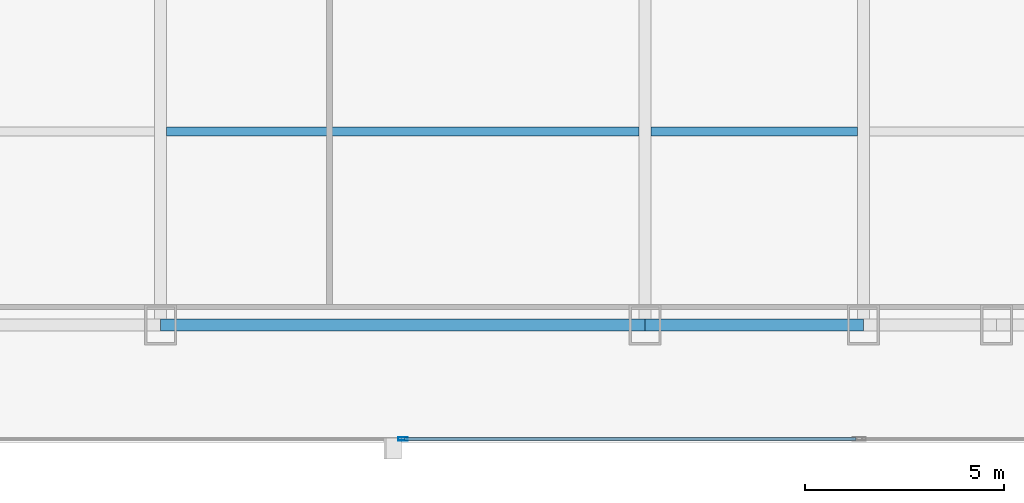
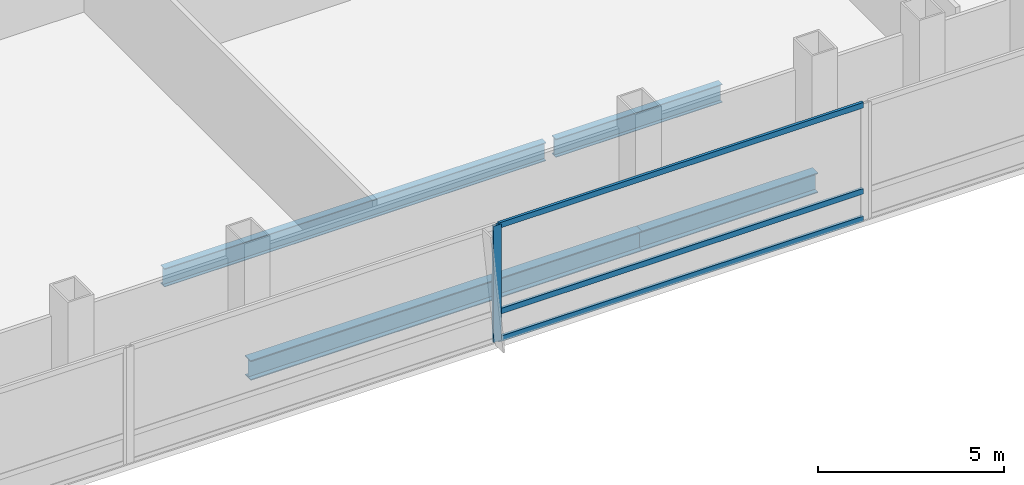
# One storey, part 12 of 35: 4 beams, 4 members, 1 element without a shape of its own.
"""IFC4 building model written with IfcOpenShell, lengths in metres."""

import ifcopenshell
import ifcopenshell.guid

model = None  # the IFC model being written
_history = None  # IfcOwnerHistory: only IFC2X3 demands one
_inside = {}  # id of a spatial element -> (the spatial element, [elements in it])
_under = {}  # id of a project, library or spatial element -> (it, [spatial elements below it])
_declared = {}  # id of a project -> (the project, [libraries it declares])
_typed = {}  # id of a type object -> (the type object, [elements of that type])
_made_of = {}  # id of a material, layer set ... -> (it, [elements and type objects made of it])


def new_model(schema):
    """Start an empty IFC model of exactly this schema.

    Asked for "IFC4X3", IfcOpenShell would pick the latest addendum, in which some entities
    have other attributes; the version numbers below select the first issue.
    IFC2X3 requires an IfcOwnerHistory on every rooted entity: one is made here for all.
    """
    global model, _history
    if schema == "IFC4X3":
        model = ifcopenshell.file(schema_version=(4, 3, 0, 0))
    else:
        model = ifcopenshell.file(schema=schema)
    _inside.clear()
    _under.clear()
    _declared.clear()
    _typed.clear()
    _made_of.clear()
    _history = None
    if model.schema == "IFC2X3":
        org = make("IfcOrganization", Name="unknown")
        user = make(
            "IfcPersonAndOrganization",
            ThePerson=make("IfcPerson", FamilyName="unknown"),
            TheOrganization=org,
        )
        app = make(
            "IfcApplication",
            ApplicationDeveloper=org,
            Version="unknown",
            ApplicationFullName="unknown",
            ApplicationIdentifier="unknown",
        )
        _history = make(
            "IfcOwnerHistory",
            OwningUser=user,
            OwningApplication=app,
            ChangeAction="ADDED",
            CreationDate=0,
        )
    return model


def make(cls, **values):
    """One entity of the class cls with the attributes given. An attribute that is None is left unset."""
    return model.create_entity(
        cls, **{name: value for name, value in values.items() if value is not None}
    )


def rooted(cls, **values):
    """An entity with a GlobalId (a new one), such as an element, a storey or a relation."""
    return make(cls, GlobalId=ifcopenshell.guid.new(), OwnerHistory=_history, **values)


def si_unit(unit_type, name, prefix=None):
    """IfcSIUnit, for example si_unit("LENGTHUNIT", "METRE", prefix="MILLI")."""
    return make("IfcSIUnit", UnitType=unit_type, Prefix=prefix, Name=name)


def assignment(units):
    """IfcUnitAssignment: the units of a project."""
    return None if units is None else make("IfcUnitAssignment", Units=units)


def point(xyz):
    """IfcCartesianPoint."""
    return None if xyz is None else make("IfcCartesianPoint", Coordinates=xyz)


def direction(xyz):
    """IfcDirection."""
    return None if xyz is None else make("IfcDirection", DirectionRatios=xyz)


def frame(location, z_axis=None, x_axis=None):
    """IfcAxis2Placement3D, a coordinate frame: its origin and axes. An axis left out is left unset."""
    return make(
        "IfcAxis2Placement3D",
        Location=point(location),
        Axis=direction(z_axis),
        RefDirection=direction(x_axis),
    )


def frame_2d(location, x_axis=None):
    """IfcAxis2Placement2D, a coordinate frame in the plane: its origin and x axis."""
    return make(
        "IfcAxis2Placement2D", Location=point(location), RefDirection=direction(x_axis)
    )


def origin():
    """The frame at (0, 0, 0) with its axes left unset."""
    return frame((0.0, 0.0, 0.0))


def origin_2d():
    """The frame at (0, 0) in the plane with its x axis left unset."""
    return frame_2d((0.0, 0.0))


def place(relative_to, where):
    """IfcLocalPlacement: puts the frame where relative to a parent placement (None: the world)."""
    return make(
        "IfcLocalPlacement", PlacementRelTo=relative_to, RelativePlacement=where
    )


def context(
    kind, dimensions, precision=None, world=None, true_north=None, identifier=None
):
    """IfcGeometricRepresentationContext, for example the 3D "Model" context."""
    return make(
        "IfcGeometricRepresentationContext",
        ContextIdentifier=identifier,
        ContextType=kind,
        CoordinateSpaceDimension=dimensions,
        Precision=precision,
        WorldCoordinateSystem=world,
        TrueNorth=true_north,
    )


def subcontext(parent, identifier, kind, view, scale=None):
    """IfcGeometricRepresentationSubContext, for example "Body" below "Model"."""
    return make(
        "IfcGeometricRepresentationSubContext",
        ContextIdentifier=identifier,
        ContextType=kind,
        ParentContext=parent,
        TargetScale=scale,
        TargetView=view,
    )


def project(units=None, contexts=None):
    """IfcProject with its units and contexts."""
    return rooted(
        "IfcProject",
        Name="project",
        RepresentationContexts=contexts,
        UnitsInContext=assignment(units),
    )


def spatial(cls, under=None, at=None, **own):
    """A site, building, storey or space (cls), placed at a placement, below another one or the project."""
    s = rooted(cls, ObjectPlacement=at, **own)
    if under is not None:
        _under.setdefault(under.id(), (under, []))[1].append(s)
    return s


def profile(cls, at=None, kind="AREA", **sizes):
    """A parametric profile (cls). Its sizes go by their IFC names, for example OverallWidth=200.0."""
    return make(cls, ProfileType=kind, Position=at, **sizes)


def hollow_rectangle(**sizes):
    """IfcRectangleHollowProfileDef."""
    return profile("IfcRectangleHollowProfileDef", **sizes)


def i_section(**sizes):
    """IfcIShapeProfileDef."""
    return profile("IfcIShapeProfileDef", **sizes)


def extrude(swept, where, along, depth):
    """IfcExtrudedAreaSolid: the profile swept, set in the frame where, extruded along a direction by depth."""
    return make(
        "IfcExtrudedAreaSolid",
        SweptArea=swept,
        Position=where,
        ExtrudedDirection=direction(along),
        Depth=depth,
    )


def shape(context_of_items, identifier, shape_type, items):
    """IfcShapeRepresentation: the items that make up one representation, for example the "Body"."""
    return make(
        "IfcShapeRepresentation",
        ContextOfItems=context_of_items,
        RepresentationIdentifier=identifier,
        RepresentationType=shape_type,
        Items=items,
    )


def material(Name=None, Category=None):
    """IfcMaterial."""
    return make("IfcMaterial", Name=Name, Category=Category)


def material_profile(
    of_material, cross_section, Name=None, Category=None, Priority=None
):
    """IfcMaterialProfile: a cross section and its material."""
    return make(
        "IfcMaterialProfile",
        Name=Name,
        Material=of_material,
        Profile=cross_section,
        Priority=Priority,
        Category=Category,
    )


def profile_set(profiles, Name=None, composite=None):
    """IfcMaterialProfileSet."""
    return make(
        "IfcMaterialProfileSet",
        Name=Name,
        MaterialProfiles=profiles,
        CompositeProfile=composite,
    )


def made_of(thing, what):
    """Note that an element or type object is made of a material, layer set ...; save() writes the relation."""
    if what is not None:
        _made_of.setdefault(what.id(), (what, []))[1].append(thing)
    return thing


def type_object(cls, material=None, **own):
    """A type object (cls), such as IfcWallType, which elements share."""
    return made_of(rooted(cls, **own), material)


def element(
    cls,
    number,
    at=None,
    inside=None,
    cuts=None,
    type_object=None,
    material=None,
    context=None,
    identifier="Body",
    shape_type=None,
    held_by="IfcProductDefinitionShape",
    body=None,
    shapes=None,
    **own,
):
    """One element of the class cls, such as IfcWall. Its Tag is "e" and its number.

    at: its placement. inside: the storey or other place that contains it. cuts: it is an
    opening in that element (IfcRelVoidsElement). A single representation is given by context,
    identifier, shape_type and body (its items); several are given by shapes. held_by: the class
    of the entity that holds the representations. save() writes the other relations.
    """
    e = rooted(cls, Tag="e%d" % number, ObjectPlacement=at, **own)
    if body is not None:
        shapes = [shape(context, identifier, shape_type, body)]
    if shapes is not None:
        e.Representation = make(held_by, Representations=shapes)
    if inside is not None:
        _inside.setdefault(inside.id(), (inside, []))[1].append(e)
    if cuts is not None:
        rooted(
            "IfcRelVoidsElement", RelatingBuildingElement=cuts, RelatedOpeningElement=e
        )
    if type_object is not None:
        _typed.setdefault(type_object.id(), (type_object, []))[1].append(e)
    return made_of(e, material)


def aggregate(whole, parts):
    """IfcRelAggregates: a whole, such as a stair, and the parts it consists of."""
    return rooted("IfcRelAggregates", RelatingObject=whole, RelatedObjects=parts)


def save(model, path):
    """Write the relations noted so far, then the file.

    IfcRelAggregates (storeys below a building ...), IfcRelContainedInSpatialStructure (elements
    in a storey), IfcRelDefinesByType, IfcRelAssociatesMaterial and IfcRelDeclares: one each for
    every whole, place, type object, material and project.
    """
    for whole, parts in _under.values():
        aggregate(whole, parts)
    for where, things in _inside.values():
        rooted(
            "IfcRelContainedInSpatialStructure",
            RelatedElements=things,
            RelatingStructure=where,
        )
    for kind, things in _typed.values():
        rooted("IfcRelDefinesByType", RelatedObjects=things, RelatingType=kind)
    for what, things in _made_of.values():
        rooted("IfcRelAssociatesMaterial", RelatedObjects=things, RelatingMaterial=what)
    for by, libraries in _declared.values():
        rooted("IfcRelDeclares", RelatingContext=by, RelatedDefinitions=libraries)
    model.write(path)


model = new_model("IFC4")

# Units and contexts
model_context = context("Model", 3, precision=1e-05, world=origin(), true_north=direction((0.0, 1.0)))
body_context = subcontext(model_context, "Body", "Model", "MODEL_VIEW")
ifc_project = project(units=[si_unit("LENGTHUNIT", "METRE"), si_unit("AREAUNIT", "SQUARE_METRE"), si_unit("VOLUMEUNIT", "CUBIC_METRE"), si_unit("PLANEANGLEUNIT", "RADIAN"), si_unit("MASSUNIT", "GRAM", prefix="KILO")], contexts=[model_context])

# Site, building, storey
site_placement = place(None, origin())
site = spatial("IfcSite", under=ifc_project, at=site_placement, CompositionType="ELEMENT")
building_placement = place(site_placement, origin())
building = spatial("IfcBuilding", under=site, at=building_placement, Name="Khoronbel Lancet Exchange", CompositionType="ELEMENT")
storey_placement = place(building_placement, frame((0.0, 0.0, 53.800048828125)))
storey = spatial("IfcBuildingStorey", under=building, at=storey_placement, Name="L12", CompositionType="ELEMENT", Elevation=53.800048828125)

# Beams
ifc_material_1 = material(Name="Steel S355", Category="steel")
ifc_material_profile_1 = material_profile(ifc_material_1, i_section(OverallWidth=0.219970703125, OverallDepth=0.60009765625, WebThickness=0.011962890625, FlangeThickness=0.01904296875, at=origin_2d()), Name="IPE 600")
ifc_profile_set_1 = profile_set([ifc_material_profile_1], Name="Steel S355")
beam_type_1 = type_object("IfcBeamType", Name="BM-BJ1", PredefinedType="JOIST", material=ifc_profile_set_1)
beam_1_placement = place(storey_placement, frame((30.52490234375, 15.0, -0.47998046875), z_axis=(1.0, 0.0, 0.0), x_axis=(0.0, 1.0, 0.0)))
element("IfcBeam", 1, at=beam_1_placement, inside=storey, type_object=beam_type_1, Name="Level L12 secondary composite joist J03", PredefinedType="JOIST", context=body_context, shape_type="SweptSolid", body=[
    extrude(i_section(OverallWidth=0.219970703125, OverallDepth=0.60009765625, WebThickness=0.011962890625, FlangeThickness=0.01904296875, at=origin_2d()), origin(), (0.0, 0.0, 1.0), 11.85009765625),
])
beam_2_placement = place(storey_placement, frame((42.675048828125, 15.0, -0.47998046875), z_axis=(1.0, 0.0, 0.0), x_axis=(0.0, 1.0, 0.0)))
element("IfcBeam", 2, at=beam_2_placement, inside=storey, type_object=beam_type_1, Name="Level L12 secondary composite joist J04", PredefinedType="JOIST", context=body_context, shape_type="SweptSolid", body=[
    extrude(i_section(OverallWidth=0.219970703125, OverallDepth=0.60009765625, WebThickness=0.011962890625, FlangeThickness=0.01904296875, at=origin_2d()), origin(), (0.0, 0.0, 1.0), 5.175048828125),
])
ifc_material_profile_2 = material_profile(ifc_material_1, i_section(OverallWidth=0.300048828125, OverallDepth=0.64990234375, WebThickness=0.01611328125, FlangeThickness=0.031005859375, at=origin_2d()), Name="HEB 650")
ifc_profile_set_2 = profile_set([ifc_material_profile_2], Name="Steel S355")
beam_type_2 = type_object("IfcBeamType", Name="BM-BSP1", PredefinedType="SPANDREL", material=ifc_profile_set_2)
beam_3_placement = place(storey_placement, frame((30.375, 10.14990234375, -0.505126953125), z_axis=(1.0, 0.0, 0.0), x_axis=(0.0, 1.0, 0.0)))
element("IfcBeam", 3, at=beam_3_placement, inside=storey, type_object=beam_type_2, Name="Level L12 perimeter spandrel beam SP05", PredefinedType="SPANDREL", context=body_context, shape_type="SweptSolid", body=[
    extrude(i_section(OverallWidth=0.300048828125, OverallDepth=0.64990234375, WebThickness=0.01611328125, FlangeThickness=0.031005859375, at=origin_2d()), origin(), (0.0, 0.0, 1.0), 12.14990234375),
])
beam_4_placement = place(storey_placement, frame((42.52490234375, 10.14990234375, -0.505126953125), z_axis=(1.0, 0.0, 0.0), x_axis=(0.0, 1.0, 0.0)))
element("IfcBeam", 4, at=beam_4_placement, inside=storey, type_object=beam_type_2, Name="Level L12 perimeter spandrel beam SP06", PredefinedType="SPANDREL", context=body_context, shape_type="SweptSolid", body=[
    extrude(i_section(OverallWidth=0.300048828125, OverallDepth=0.64990234375, WebThickness=0.01611328125, FlangeThickness=0.031005859375, at=origin_2d()), origin(), (0.0, 0.0, 1.0), 5.47509765625),
])

# Curtain wall, members
ifc_material_2 = material(Name="Low-E Solar Control Insulating Glass", Category="glass")
curtain_wall_type = type_object("IfcCurtainWallType", Name="CW-1", PredefinedType="NOTDEFINED", material=ifc_material_2)
curtain_wall_placement = place(storey_placement, origin())
curtain_wall = element("IfcCurtainWall", 5, at=curtain_wall_placement, inside=storey, type_object=curtain_wall_type, Name="Unitised curtain wall CW-L12-SCV", PredefinedType="NOTDEFINED")
ifc_material_3 = material(Name="Bronze-Anodised Aluminium 6063-T6", Category="aluminium")
ifc_material_profile_3 = material_profile(ifc_material_3, hollow_rectangle(XDim=0.0849609375, YDim=0.239990234375, WallThickness=0.006103515625, at=origin_2d()), Name="ALU MULLION 85x240")
ifc_profile_set_3 = profile_set([ifc_material_profile_3], Name="Bronze-Anodised Aluminium 6063-T6")
member_type_1 = type_object("IfcMemberType", Name="MEM-CWM1", PredefinedType="MULLION", material=ifc_profile_set_3)
member_1_placement = place(storey_placement, frame((36.449951171875, 7.2900390625, 0.0), z_axis=(0.0, 0.0, 1.0), x_axis=(0.0, 1.0, 0.0)))
member_1 = element("IfcMember", 6, at=member_1_placement, type_object=member_type_1, Name="CW1 mullion 2", PredefinedType="MULLION", context=body_context, shape_type="SweptSolid", body=[
    extrude(hollow_rectangle(XDim=0.0849609375, YDim=0.239990234375, WallThickness=0.006103515625, at=origin_2d()), origin(), (0.0, 0.0, 1.0), 3.820068359375),
])
ifc_material_profile_4 = material_profile(ifc_material_3, hollow_rectangle(XDim=0.0849609375, YDim=0.179931640625, WallThickness=0.0048828125, at=origin_2d()), Name="ALU TRANSOM 85x180")
ifc_profile_set_4 = profile_set([ifc_material_profile_4], Name="Bronze-Anodised Aluminium 6063-T6")
member_type_2 = type_object("IfcMemberType", Name="MEM-CWT1", PredefinedType="USERDEFINED", material=ifc_profile_set_4)
member_2_placement = place(storey_placement, frame((36.492431640625, 7.2900390625, 0.04248046875), z_axis=(1.0, 0.0, 0.0), x_axis=(0.0, 1.0, 0.0)))
member_2 = element("IfcMember", 7, at=member_2_placement, type_object=member_type_2, Name="CW1 transom 2.1", ObjectType="TRANSOM", PredefinedType="USERDEFINED", context=body_context, shape_type="SweptSolid", body=[
    extrude(hollow_rectangle(XDim=0.0849609375, YDim=0.179931640625, WallThickness=0.0048828125, at=origin_2d()), origin(), (0.0, 0.0, 1.0), 11.322509765625),
])
member_3_placement = place(storey_placement, frame((36.492431640625, 7.2900390625, 0.949951171875), z_axis=(1.0, 0.0, 0.0), x_axis=(0.0, 1.0, 0.0)))
member_3 = element("IfcMember", 8, at=member_3_placement, type_object=member_type_2, Name="CW1 transom 2.2", ObjectType="TRANSOM", PredefinedType="USERDEFINED", context=body_context, shape_type="SweptSolid", body=[
    extrude(hollow_rectangle(XDim=0.0849609375, YDim=0.179931640625, WallThickness=0.0048828125, at=origin_2d()), origin(), (0.0, 0.0, 1.0), 11.322509765625),
])
member_4_placement = place(storey_placement, frame((36.492431640625, 7.2900390625, 3.77734375), z_axis=(1.0, 0.0, 0.0), x_axis=(0.0, 1.0, 0.0)))
member_4 = element("IfcMember", 9, at=member_4_placement, type_object=member_type_2, Name="CW1 transom 2.3", ObjectType="TRANSOM", PredefinedType="USERDEFINED", context=body_context, shape_type="SweptSolid", body=[
    extrude(hollow_rectangle(XDim=0.0849609375, YDim=0.179931640625, WallThickness=0.0048828125, at=origin_2d()), origin(), (0.0, 0.0, 1.0), 11.322509765625),
])
aggregate(curtain_wall, [member_1, member_2, member_3, member_4])

save(model, "model.ifc")
